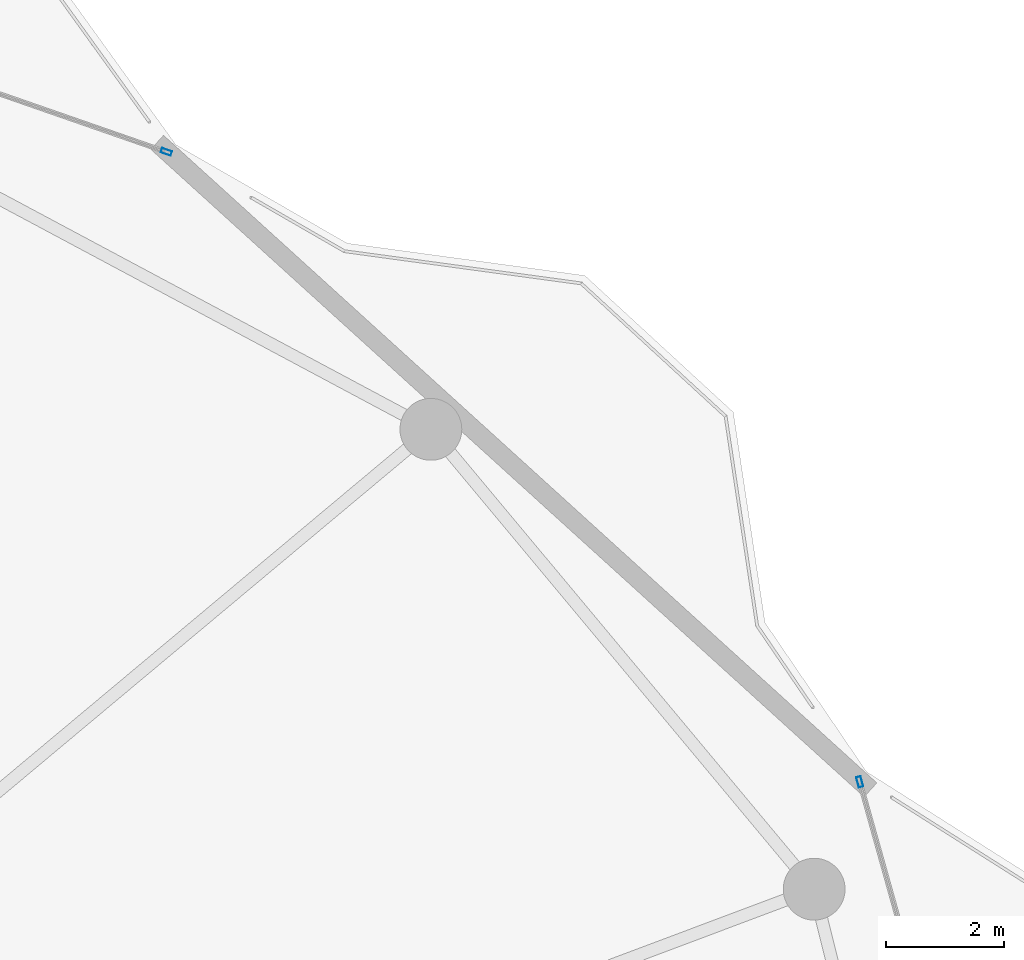
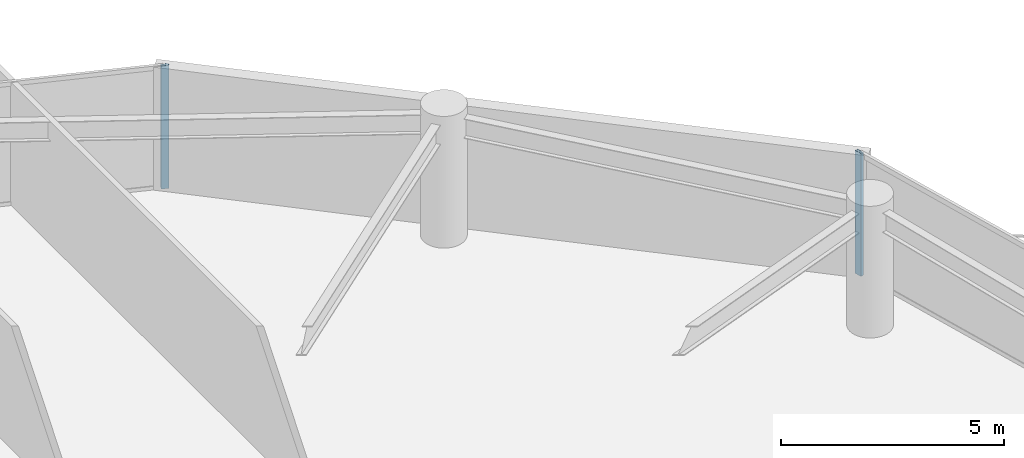
# One storey, part 21 of 28: 2 members, 2 elements without a shape of their own.
"""IFC4 building model written with IfcOpenShell, lengths in metres."""

from ifc_helpers import new_model, si_unit, direction, frame, origin, origin_2d, place, context, subcontext, project, spatial, hollow_rectangle, extrude, material, layer, layer_set, material_profile, profile_set, type_object, element, aggregate, save


model = new_model("IFC4")

# Units and contexts
model_context = context("Model", 3, precision=1e-05, world=origin(), true_north=direction((0.0, 1.0)))
body_context = subcontext(model_context, "Body", "Model", "MODEL_VIEW")
ifc_project = project(units=[si_unit("LENGTHUNIT", "METRE"), si_unit("AREAUNIT", "SQUARE_METRE"), si_unit("VOLUMEUNIT", "CUBIC_METRE"), si_unit("PLANEANGLEUNIT", "RADIAN"), si_unit("MASSUNIT", "GRAM", prefix="KILO")], contexts=[model_context])

# Site, building, storey
site_placement = place(None, origin())
site = spatial("IfcSite", under=ifc_project, at=site_placement, CompositionType="ELEMENT")
building_placement = place(site_placement, origin())
building = spatial("IfcBuilding", under=site, at=building_placement, Name="Kazevale Care Tower and Concert Hall", CompositionType="ELEMENT")
storey_placement = place(building_placement, frame((0.0, 0.0, 228.0)))
storey = spatial("IfcBuildingStorey", under=building, at=storey_placement, Name="L60", CompositionType="ELEMENT", Elevation=228.0)

# Curtain wall, member
ifc_material_1 = material(Name="Aluminium 6063-T6 and Low-E Glass", Category="aluminium")
ifc_layer_1 = layer(ifc_material_1, 0.179931640625)
ifc_layer_set_1 = layer_set([ifc_layer_1], Name="Aluminium 6063-T6 and Low-E Glass")
curtain_wall_type_1 = type_object("IfcCurtainWallType", Name="Convex Checkerboard Finned Curtain Wall CW-2", PredefinedType="NOTDEFINED", material=ifc_layer_set_1)
curtain_wall_1_placement = place(storey_placement, origin())
curtain_wall_1 = element("IfcCurtainWall", 1, at=curtain_wall_1_placement, inside=storey, type_object=curtain_wall_type_1, Name="cw:L60:f16", PredefinedType="NOTDEFINED")
ifc_material_2 = material(Name="Aluminium 6063-T6", Category="aluminium")
ifc_material_profile_1 = material_profile(ifc_material_2, hollow_rectangle(XDim=0.080078125, YDim=0.179931640625, WallThickness=0.0048828125, at=origin_2d()), Name="ALU80x180x5")
ifc_profile_set_1 = profile_set([ifc_material_profile_1], Name="Aluminium 6063-T6")
member_type_1 = type_object("IfcMemberType", Name="CW-2 Mullion ALU80x180x5", PredefinedType="MULLION", material=ifc_profile_set_1)
member_1_placement = place(storey_placement, frame((61.75732421875, 59.72216796875, 0.0), z_axis=(0.0, 0.0, 1.0), x_axis=(0.328583704497, 0.94447485363, 0.0)))
member_1 = element("IfcMember", 2, at=member_1_placement, type_object=member_type_1, Name="CW-2 mullion 2", PredefinedType="MULLION", context=body_context, shape_type="SweptSolid", body=[
    extrude(hollow_rectangle(XDim=0.080078125, YDim=0.179931640625, WallThickness=0.0048828125, at=origin_2d()), origin(), (0.0, 0.0, 1.0), 3.360107421875),
])
aggregate(curtain_wall_1, [member_1])

ifc_layer_2 = layer(ifc_material_1, 0.179931640625)
ifc_layer_set_2 = layer_set([ifc_layer_2], Name="Aluminium 6063-T6 and Low-E Glass")
curtain_wall_type_2 = type_object("IfcCurtainWallType", Name="Waist & Upper Residential Curtain Wall CW-4", PredefinedType="NOTDEFINED", material=ifc_layer_set_2)
curtain_wall_2_placement = place(storey_placement, origin())
curtain_wall_2 = element("IfcCurtainWall", 3, at=curtain_wall_2_placement, inside=storey, type_object=curtain_wall_type_2, Name="cw:L60:f18", PredefinedType="NOTDEFINED")
ifc_material_profile_2 = material_profile(ifc_material_2, hollow_rectangle(XDim=0.080078125, YDim=0.179931640625, WallThickness=0.0048828125, at=origin_2d()), Name="ALU80x180x5")
ifc_profile_set_2 = profile_set([ifc_material_profile_2], Name="Aluminium 6063-T6")
member_type_2 = type_object("IfcMemberType", Name="CW-4 Mullion ALU80x180x5", PredefinedType="MULLION", material=ifc_profile_set_2)
member_2_placement = place(storey_placement, frame((73.53369140625, 49.0234375, 0.0), z_axis=(0.0, 0.0, 1.0), x_axis=(0.962972156211, 0.269600864915, 0.0)))
member_2 = element("IfcMember", 4, at=member_2_placement, type_object=member_type_2, Name="CW-4 mullion 1", PredefinedType="MULLION", context=body_context, shape_type="SweptSolid", body=[
    extrude(hollow_rectangle(XDim=0.080078125, YDim=0.179931640625, WallThickness=0.0048828125, at=origin_2d()), origin(), (0.0, 0.0, 1.0), 3.360107421875),
])
aggregate(curtain_wall_2, [member_2])

save(model, "model.ifc")
